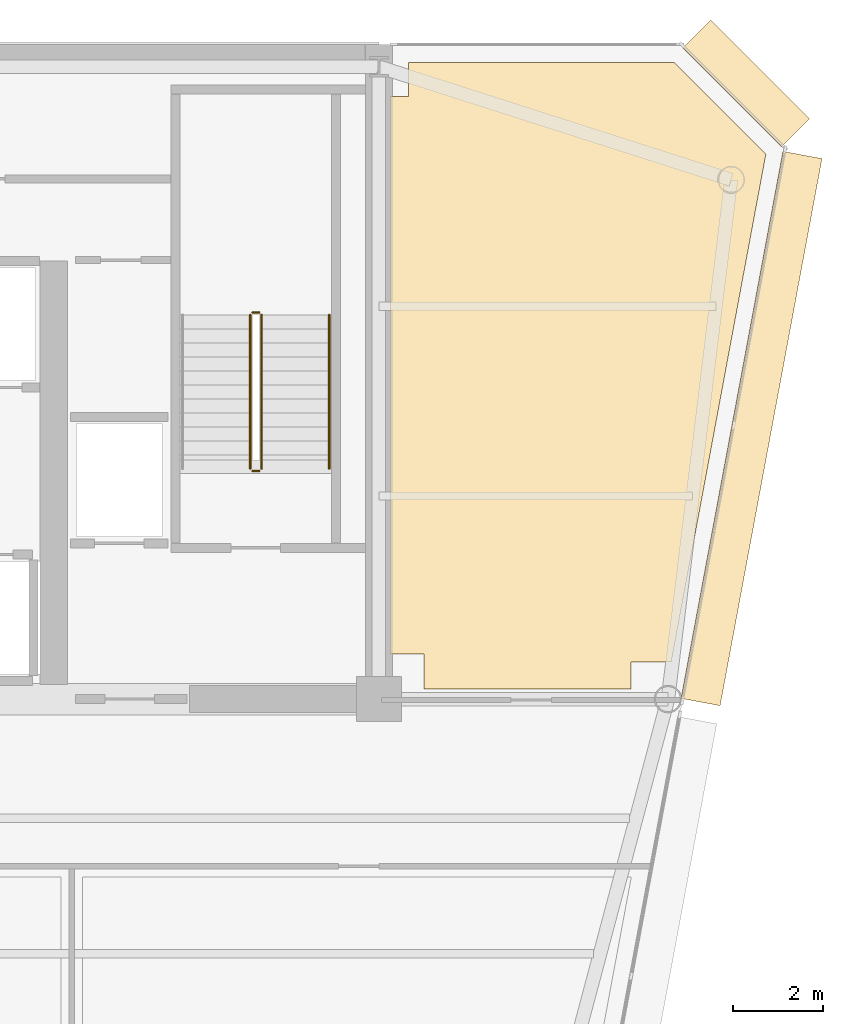
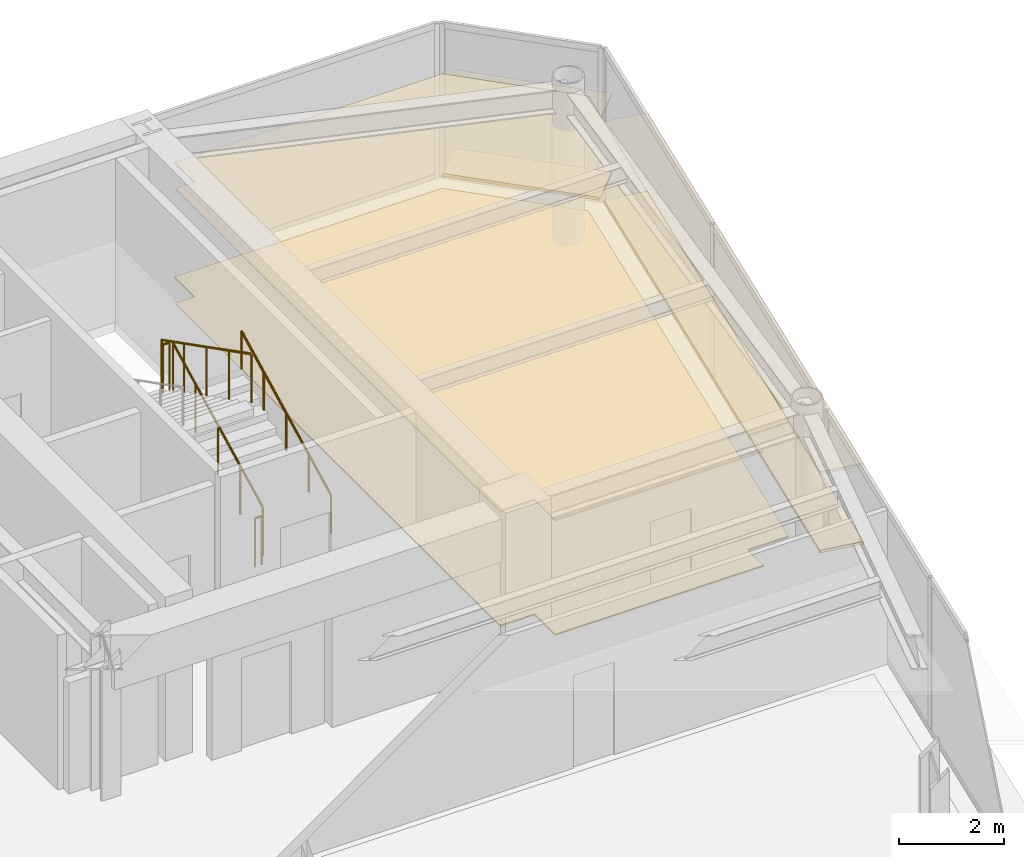
# One storey, part 14 of 14: 6 coverings, 5 railings.
"""IFC4 building model written with IfcOpenShell, lengths in metres."""

from ifc_helpers import new_model, si_unit, direction, frame, origin, origin_2d, place, context, subcontext, project, spatial, polyline, rectangle, circle, outline, extrude, source, transform, mapped, material, layer, layer_set, type_object, element, save


model = new_model("IFC4")

# Units and contexts
model_context = context("Model", 3, precision=1e-05, world=origin(), true_north=direction((0.0, 1.0)))
body_context = subcontext(model_context, "Body", "Model", "MODEL_VIEW")
ifc_project = project(units=[si_unit("LENGTHUNIT", "METRE"), si_unit("AREAUNIT", "SQUARE_METRE"), si_unit("VOLUMEUNIT", "CUBIC_METRE"), si_unit("PLANEANGLEUNIT", "RADIAN"), si_unit("MASSUNIT", "GRAM", prefix="KILO")], contexts=[model_context])

# Site, building, storey
site_placement = place(None, origin())
site = spatial("IfcSite", under=ifc_project, at=site_placement, CompositionType="ELEMENT")
building_placement = place(site_placement, origin())
building = spatial("IfcBuilding", under=site, at=building_placement, Name="Vaeldorn Concourse Tower", CompositionType="ELEMENT")
storey_placement = place(building_placement, frame((0.0, 0.0, 238.39990234375)))
storey = spatial("IfcBuildingStorey", under=building, at=storey_placement, Name="L61", CompositionType="ELEMENT", Elevation=238.39990234375)

# Coverings
ifc_material_1 = material(Name="Acoustic Mineral Fibre Board", Category="gypsum")
ifc_layer_1 = layer(ifc_material_1, 0.0400390625)
ifc_layer_set_1 = layer_set([ifc_layer_1], Name="Acoustic Mineral Fibre Board")
covering_type_1 = type_object("IfcCoveringType", Name="COV-CEIL-ACOUSTIC", PredefinedType="CEILING", material=ifc_layer_set_1)
covering_1_placement = place(storey_placement, frame((0.0, 0.0, 2.650146484375)))
element("IfcCovering", 1, at=covering_1_placement, inside=storey, type_object=covering_type_1, Name="Suspended Acoustic Ceiling L61-4", PredefinedType="CEILING", context=body_context, shape_type="SweptSolid", body=[
    extrude(outline(polyline([(54.659912109375, 49.840087890625), (54.659912109375, 50.60009765625), (60.5341796875, 50.60009765625), (62.568115234375, 48.566162109375), (60.47412109375, 37.320068359375), (59.580078125, 37.320068359375), (59.580078125, 36.719970703125), (55.0, 36.719970703125), (55.0, 37.5), (54.239990234375, 37.5), (54.239990234375, 49.840087890625), (54.659912109375, 49.840087890625)])), origin(), (0.0, 0.0, 1.0), 0.0400390625),
])
ifc_material_2 = material(Name="Honed Limestone Terrazzo Flooring", Category="masonry")
ifc_layer_2 = layer(ifc_material_2, 0.0400390625)
ifc_layer_set_2 = layer_set([ifc_layer_2], Name="Honed Limestone Terrazzo Flooring")
covering_type_2 = type_object("IfcCoveringType", Name="COV-FLOOR-STONE", PredefinedType="FLOORING", material=ifc_layer_set_2)
covering_2_placement = place(storey_placement, origin())
element("IfcCovering", 2, at=covering_2_placement, inside=storey, type_object=covering_type_2, Name="Floor Finish Covering L61-4", PredefinedType="FLOORING", context=body_context, shape_type="SweptSolid", body=[
    extrude(outline(polyline([(54.659912109375, 49.840087890625), (54.659912109375, 50.60009765625), (60.5341796875, 50.60009765625), (62.568115234375, 48.566162109375), (60.47412109375, 37.320068359375), (59.580078125, 37.320068359375), (59.580078125, 36.719970703125), (55.0, 36.719970703125), (55.0, 37.5), (54.239990234375, 37.5), (54.239990234375, 49.840087890625), (54.659912109375, 49.840087890625)])), origin(), (0.0, 0.0, 1.0), 0.030029296875),
])

# Railings
ifc_material_3 = material(Name="Anodised Bronze Aluminium", Category="aluminium")
railing_type_1 = type_object("IfcRailingType", Name="RL-STAIR-GUARD", PredefinedType="GUARDRAIL", material=ifc_material_3)
railing_1_placement = place(storey_placement, frame((51.39990234375, 41.60009765625, 0.158447265625)))
element("IfcRailing", 3, at=railing_1_placement, inside=storey, type_object=railing_type_1, Name="L61 ST-2 stair guard 1", PredefinedType="GUARDRAIL", context=body_context, shape_type="SweptSolid", body=[
    extrude(circle(Radius=0.02392578125, at=origin_2d()), frame((0.0, 0.0, 1.1259765625), z_axis=(0.0, 0.890555807335, 0.454873997962), x_axis=(-1.0, 0.0, 0.0)), (0.0, 0.0, 1.0), 3.828857421875),
    extrude(circle(Radius=0.02099609375, at=origin_2d()), origin(), (0.0, 0.0, 1.0), 1.101806640625),
    extrude(circle(Radius=0.02099609375, at=origin_2d()), frame((0.0, 0.8525390625, 0.435546875)), (0.0, 0.0, 1.0), 1.101806640625),
    extrude(circle(Radius=0.02099609375, at=origin_2d()), frame((0.0, 1.705078125, 0.870849609375)), (0.0, 0.0, 1.0), 1.101806640625),
    extrude(circle(Radius=0.02099609375, at=origin_2d()), frame((0.0, 2.557373046875, 1.30615234375)), (0.0, 0.0, 1.0), 1.101806640625),
    extrude(circle(Radius=0.02099609375, at=origin_2d()), frame((0.0, 3.409912109375, 1.74169921875)), (0.0, 0.0, 1.0), 1.101806640625),
])
railing_2_placement = place(storey_placement, frame((51.35009765625, 45.06005859375, 1.900146484375)))
element("IfcRailing", 4, at=railing_2_placement, inside=storey, type_object=railing_type_1, Name="L61 ST-2 stair guard 2", PredefinedType="GUARDRAIL", context=body_context, shape_type="SweptSolid", body=[
    extrude(circle(Radius=0.02392578125, at=origin_2d()), frame((0.0, 0.0, 1.1259765625), z_axis=(-1.0, 0.0, 0.0), x_axis=(0.0, -1.0, 0.0)), (0.0, 0.0, 1.0), 0.150146484375),
    extrude(circle(Radius=0.02099609375, at=origin_2d()), origin(), (0.0, 0.0, 1.0), 1.101806640625),
    extrude(circle(Radius=0.02099609375, at=origin_2d()), frame((-0.150146484375, 0.0, 0.0)), (0.0, 0.0, 1.0), 1.101806640625),
])
railing_3_placement = place(storey_placement, frame((51.14990234375, 45.010009765625, 2.058349609375)))
element("IfcRailing", 5, at=railing_3_placement, inside=storey, type_object=railing_type_1, Name="L61 ST-2 stair guard 3", PredefinedType="GUARDRAIL", context=body_context, shape_type="SweptSolid", body=[
    extrude(circle(Radius=0.02392578125, at=origin_2d()), frame((0.0, 0.0, 1.1259765625), z_axis=(0.0, -0.890555807335, 0.454873997962), x_axis=(1.0, 0.0, 0.0)), (0.0, 0.0, 1.0), 3.828857421875),
    extrude(circle(Radius=0.02099609375, at=origin_2d()), origin(), (0.0, 0.0, 1.0), 1.101806640625),
    extrude(circle(Radius=0.02099609375, at=origin_2d()), frame((0.0, -0.8525390625, 0.435546875)), (0.0, 0.0, 1.0), 1.101806640625),
    extrude(circle(Radius=0.02099609375, at=origin_2d()), frame((0.0, -1.705078125, 0.870849609375)), (0.0, 0.0, 1.0), 1.101806640625),
    extrude(circle(Radius=0.02099609375, at=origin_2d()), frame((0.0, -2.557373046875, 1.30615234375)), (0.0, 0.0, 1.0), 1.101806640625),
    extrude(circle(Radius=0.02099609375, at=origin_2d()), frame((0.0, -3.409912109375, 1.74169921875)), (0.0, 0.0, 1.0), 1.101806640625),
])
railing_4_placement = place(storey_placement, frame((51.35009765625, 41.550048828125, 0.0)))
element("IfcRailing", 6, at=railing_4_placement, inside=storey, type_object=railing_type_1, Name="L61 ST-2 stair guard 4", PredefinedType="GUARDRAIL", context=body_context, shape_type="SweptSolid", body=[
    extrude(circle(Radius=0.02392578125, at=origin_2d()), frame((0.0, 0.0, 1.1259765625), z_axis=(-1.0, 0.0, 0.0), x_axis=(0.0, -1.0, 0.0)), (0.0, 0.0, 1.0), 0.150146484375),
    extrude(circle(Radius=0.02099609375, at=origin_2d()), origin(), (0.0, 0.0, 1.0), 1.101806640625),
    extrude(circle(Radius=0.02099609375, at=origin_2d()), frame((-0.150146484375, 0.0, 0.0)), (0.0, 0.0, 1.0), 1.101806640625),
])
railing_type_2 = type_object("IfcRailingType", Name="RL-STAIR-HANDRAIL", PredefinedType="HANDRAIL", material=ifc_material_3)
railing_5_placement = place(storey_placement, frame((52.89990234375, 41.60009765625, 0.158447265625)))
element("IfcRailing", 7, at=railing_5_placement, inside=storey, type_object=railing_type_2, Name="L61 ST-2 stair handrail 1", PredefinedType="HANDRAIL", context=body_context, shape_type="SweptSolid", body=[
    extrude(circle(Radius=0.02392578125, at=origin_2d()), frame((0.0, 0.0, 0.8759765625), z_axis=(0.0, 0.890555807335, 0.454873997962), x_axis=(-1.0, 0.0, 0.0)), (0.0, 0.0, 1.0), 3.828857421875),
    extrude(circle(Radius=0.02099609375, at=origin_2d()), origin(), (0.0, 0.0, 1.0), 0.851806640625),
    extrude(circle(Radius=0.02099609375, at=origin_2d()), frame((0.0, 0.8525390625, 0.435546875)), (0.0, 0.0, 1.0), 0.851806640625),
    extrude(circle(Radius=0.02099609375, at=origin_2d()), frame((0.0, 1.705078125, 0.870849609375)), (0.0, 0.0, 1.0), 0.851806640625),
    extrude(circle(Radius=0.02099609375, at=origin_2d()), frame((0.0, 2.557373046875, 1.30615234375)), (0.0, 0.0, 1.0), 0.851806640625),
    extrude(circle(Radius=0.02099609375, at=origin_2d()), frame((0.0, 3.409912109375, 1.74169921875)), (0.0, 0.0, 1.0), 0.851806640625),
])

# Coverings
ifc_layer_3 = layer(ifc_material_3, 0.06494140625)
ifc_layer_set_3 = layer_set([ifc_layer_3], Name="Anodised Bronze Aluminium")
covering_type_3 = type_object("IfcCoveringType", Name="SD-BRONZE-SUNSHADE", PredefinedType="USERDEFINED", material=ifc_layer_set_3)
shared_shape_1 = source(origin(), body_context, "Body", "SweptSolid", [
    extrude(rectangle(XDim=3.0927734375, YDim=0.8798828125, at=origin_2d()), origin(), (0.0, 0.0, 1.0), 0.06494140625),
])
for number, where, z_axis, x_axis, name in (
    (8, (62.1328125, 50.1328125, 0.047607421875), (0.0, 0.0, 1.0), (-0.707106781187, 0.707106781187, 0.0), "Horizontal Bronze Sunshade L61-E08.1.1"),
    (9, (62.1328125, 50.1328125, 1.86767578125), (0.0, 0.0, 1.0), (-0.707106781187, 0.707106781187, 0.0), "Horizontal Bronze Sunshade L61-E08.1.2"),
):
    element("IfcCovering", number, at=place(storey_placement, frame(where, z_axis=z_axis, x_axis=x_axis)), inside=storey, type_object=covering_type_3, Name=name, ObjectType="SUNSHADE", PredefinedType="USERDEFINED", context=body_context, shape_type="MappedRepresentation", body=[
        mapped(shared_shape_1, transform((0.0, 0.0, 0.0), scale=1.0)),
    ])
shared_shape_2 = source(origin(), body_context, "Body", "SweptSolid", [
    extrude(rectangle(XDim=12.322509765625, YDim=0.8798828125, at=origin_2d()), origin(), (0.0, 0.0, 1.0), 0.06494140625),
])
for number, where, z_axis, x_axis, name in (
    (10, (62.250732421875, 42.490966796875, 0.047607421875), (0.0, 0.0, 1.0), (0.183059191151, 0.983101893262, 0.0), "Horizontal Bronze Sunshade L61-E07.2.1"),
    (11, (62.250732421875, 42.490966796875, 1.86767578125), (0.0, 0.0, 1.0), (0.183059191151, 0.983101893262, 0.0), "Horizontal Bronze Sunshade L61-E07.2.2"),
):
    element("IfcCovering", number, at=place(storey_placement, frame(where, z_axis=z_axis, x_axis=x_axis)), inside=storey, type_object=covering_type_3, Name=name, ObjectType="SUNSHADE", PredefinedType="USERDEFINED", context=body_context, shape_type="MappedRepresentation", body=[
        mapped(shared_shape_2, transform((0.0, 0.0, 0.0), scale=1.0)),
    ])

save(model, "model.ifc")
